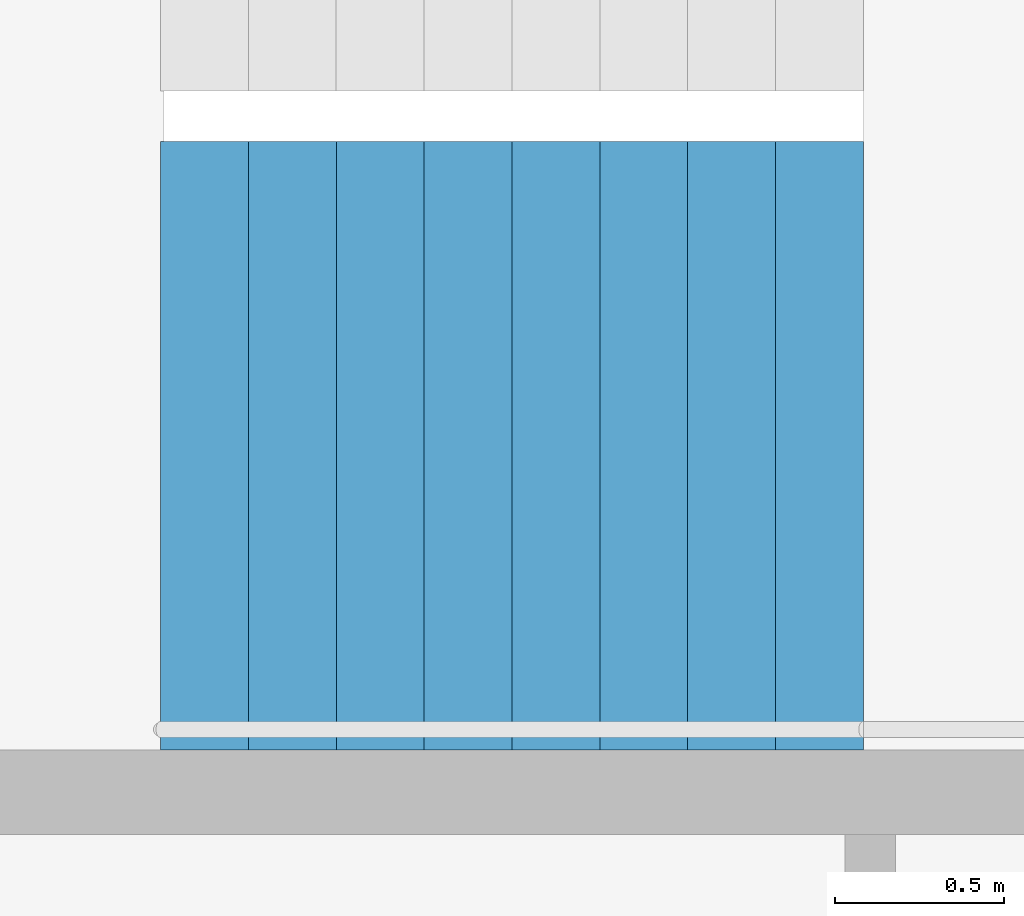
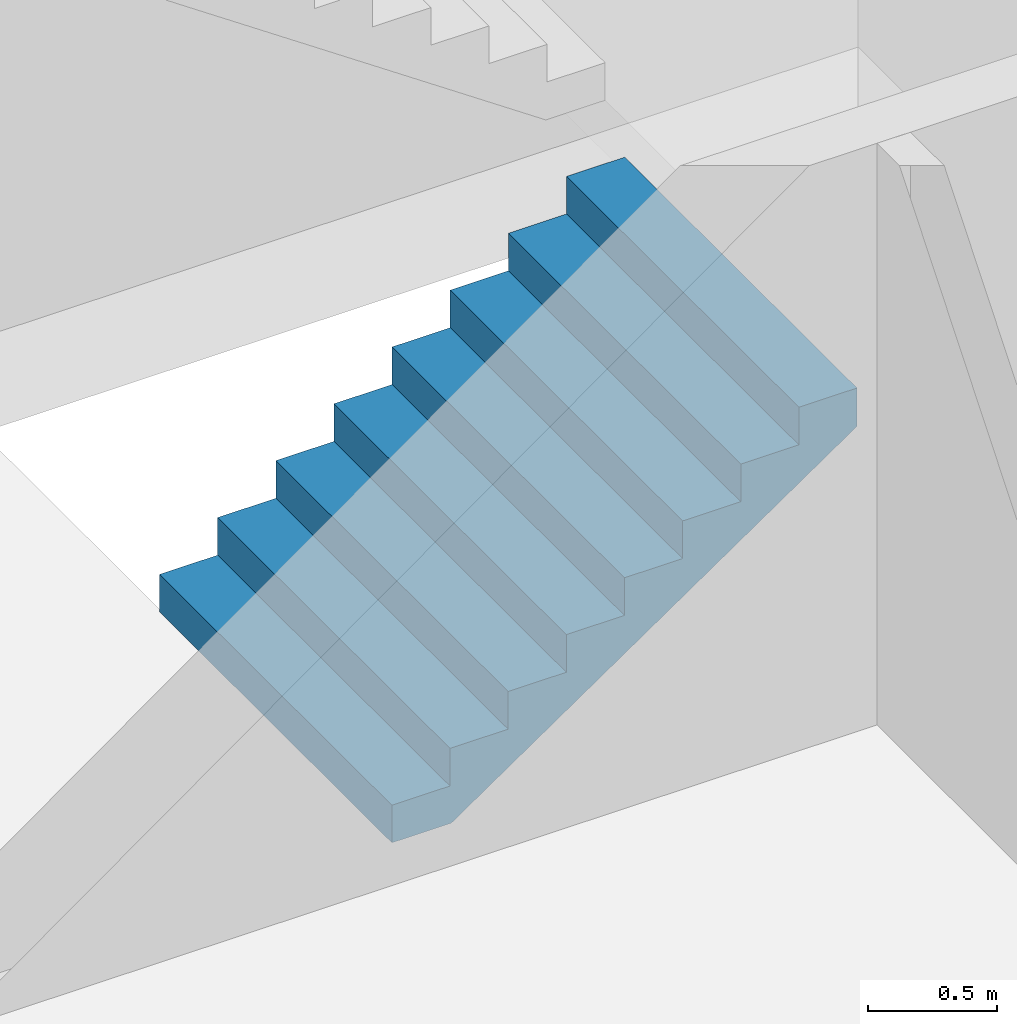
# One storey, part 20 of 26: 1 stair flight, 1 element without a shape of its own.
"""IFC4 building model written with IfcOpenShell, lengths in metres."""

from ifc_helpers import new_model, si_unit, direction, frame, origin, place, context, subcontext, project, spatial, triangles, material, type_object, element, aggregate, save


model = new_model("IFC4")

# Units and contexts
model_context = context("Model", 3, precision=1e-05, world=origin(), true_north=direction((0.0, 1.0)))
body_context = subcontext(model_context, "Body", "Model", "MODEL_VIEW")
ifc_project = project(units=[si_unit("LENGTHUNIT", "METRE"), si_unit("AREAUNIT", "SQUARE_METRE"), si_unit("VOLUMEUNIT", "CUBIC_METRE"), si_unit("PLANEANGLEUNIT", "RADIAN"), si_unit("MASSUNIT", "GRAM", prefix="KILO")], contexts=[model_context])

# Site, building, storey
site_placement = place(None, origin())
site = spatial("IfcSite", under=ifc_project, at=site_placement, CompositionType="ELEMENT")
building_placement = place(site_placement, origin())
building = spatial("IfcBuilding", under=site, at=building_placement, Name="Hakoniwa Tower and Hamabe Station Hall", CompositionType="ELEMENT")
storey_placement = place(building_placement, frame((0.0, 0.0, 221.800048828125)))
storey = spatial("IfcBuildingStorey", under=building, at=storey_placement, Name="L63", CompositionType="ELEMENT", Elevation=221.800048828125)

# Stair, stair flight
ifc_material_1 = material(Name="Concrete C40", Category="concrete")
stair_type = type_object("IfcStairType", Name="ESCAPE STAIR 1800", PredefinedType="HALF_TURN_STAIR", material=ifc_material_1)
stair_placement = place(storey_placement, origin())
stair = element("IfcStair", 1, at=stair_placement, inside=storey, type_object=stair_type, Name="Escape stair ST-1 L63", PredefinedType="HALF_TURN_STAIR")
ifc_material_2 = material(Name="Concrete C40", Category="concrete")
stair_flight_type = type_object("IfcStairFlightType", Name="STAIR FLIGHT 1800", PredefinedType="STRAIGHT", material=ifc_material_2)
stair_flight_placement = place(storey_placement, frame((-24.39990234375, 4.64990234375, 0.0), z_axis=(0.0, 0.0, 1.0), x_axis=(1.0, 0.0, 0.0)))
stair_flight = element("IfcStairFlight", 2, at=stair_flight_placement, type_object=stair_flight_type, Name="ST-1 flight 1", NumberOfRisers=9, NumberOfTreads=8, PredefinedType="STRAIGHT", RiserHeight=0.177777778, TreadLength=0.26, context=body_context, shape_type="Tessellation", body=[
    triangles([(0.0, 0.89990234375, 0.0), (0.260009765625, 0.89990234375, 0.0), (0.265625, 0.89990234375, 0.0), (0.52001953125, 0.89990234375, 0.174072265625), (0.780029296875, 0.89990234375, 0.351806640625), (1.0400390625, 0.89990234375, 0.529541015625), (1.300048828125, 0.89990234375, 0.707275390625), (1.56005859375, 0.89990234375, 0.885009765625), (1.820068359375, 0.89990234375, 1.062744140625), (2.080078125, 0.89990234375, 1.24072265625), (2.080078125, 0.89990234375, 1.422119140625), (1.820068359375, 0.89990234375, 1.422119140625), (1.820068359375, 0.89990234375, 1.244384765625), (1.56005859375, 0.89990234375, 1.244384765625), (1.56005859375, 0.89990234375, 1.066650390625), (1.300048828125, 0.89990234375, 1.066650390625), (1.300048828125, 0.89990234375, 0.888916015625), (1.0400390625, 0.89990234375, 0.888916015625), (1.0400390625, 0.89990234375, 0.711181640625), (0.780029296875, 0.89990234375, 0.711181640625), (0.780029296875, 0.89990234375, 0.533447265625), (0.52001953125, 0.89990234375, 0.533447265625), (0.52001953125, 0.89990234375, 0.35546875), (0.265625, 0.89990234375, 0.35546875), (0.260009765625, 0.89990234375, 0.35546875), (0.260009765625, 0.89990234375, 0.177734375), (0.0, 0.89990234375, 0.177734375), (0.0, 0.06005859375, 0.0), (0.260009765625, 0.06005859375, 0.0), (0.265625, 0.06005859375, 0.0), (0.52001953125, 0.06005859375, 0.174072265625), (0.780029296875, 0.06005859375, 0.351806640625), (1.0400390625, 0.06005859375, 0.529541015625), (1.300048828125, 0.06005859375, 0.707275390625), (1.56005859375, 0.06005859375, 0.885009765625), (1.820068359375, 0.06005859375, 1.062744140625), (2.080078125, 0.06005859375, 1.24072265625), (2.080078125, 0.06005859375, 1.422119140625), (1.820068359375, 0.06005859375, 1.422119140625), (1.820068359375, 0.06005859375, 1.244384765625), (1.56005859375, 0.06005859375, 1.244384765625), (1.56005859375, 0.06005859375, 1.066650390625), (1.300048828125, 0.06005859375, 1.066650390625), (1.300048828125, 0.06005859375, 0.888916015625), (1.0400390625, 0.06005859375, 0.888916015625), (1.0400390625, 0.06005859375, 0.711181640625), (0.780029296875, 0.06005859375, 0.711181640625), (0.780029296875, 0.06005859375, 0.533447265625), (0.52001953125, 0.06005859375, 0.533447265625), (0.52001953125, 0.06005859375, 0.35546875), (0.265625, 0.06005859375, 0.35546875), (0.260009765625, 0.06005859375, 0.35546875), (0.260009765625, 0.06005859375, 0.177734375), (0.0, 0.06005859375, 0.177734375), (0.0, 0.04296875, 0.0), (0.260009765625, 0.04296875, 0.0), (0.265625, 0.04296875, 0.0), (0.52001953125, 0.04296875, 0.174072265625), (0.780029296875, 0.04296875, 0.351806640625), (1.0400390625, 0.04296875, 0.529541015625), (1.300048828125, 0.04296875, 0.707275390625), (1.56005859375, 0.04296875, 0.885009765625), (1.820068359375, 0.04296875, 1.062744140625), (2.080078125, 0.04296875, 1.24072265625), (2.080078125, 0.04296875, 1.422119140625), (1.820068359375, 0.04296875, 1.422119140625), (1.820068359375, 0.04296875, 1.244384765625), (1.56005859375, 0.04296875, 1.244384765625), (1.56005859375, 0.04296875, 1.066650390625), (1.300048828125, 0.04296875, 1.066650390625), (1.300048828125, 0.04296875, 0.888916015625), (1.0400390625, 0.04296875, 0.888916015625), (1.0400390625, 0.04296875, 0.711181640625), (0.780029296875, 0.04296875, 0.711181640625), (0.780029296875, 0.04296875, 0.533447265625), (0.52001953125, 0.04296875, 0.533447265625), (0.52001953125, 0.04296875, 0.35546875), (0.265625, 0.04296875, 0.35546875), (0.260009765625, 0.04296875, 0.35546875), (0.260009765625, 0.04296875, 0.177734375), (0.0, 0.04296875, 0.177734375), (0.0, 0.025634765625, 0.0), (0.260009765625, 0.025634765625, 0.0), (0.265625, 0.025634765625, 0.0), (0.52001953125, 0.025634765625, 0.174072265625), (0.780029296875, 0.025634765625, 0.351806640625), (1.0400390625, 0.025634765625, 0.529541015625), (1.300048828125, 0.025634765625, 0.707275390625), (1.56005859375, 0.025634765625, 0.885009765625), (1.820068359375, 0.025634765625, 1.062744140625), (2.080078125, 0.025634765625, 1.24072265625), (2.080078125, 0.025634765625, 1.422119140625), (1.820068359375, 0.025634765625, 1.422119140625), (1.820068359375, 0.025634765625, 1.244384765625), (1.56005859375, 0.025634765625, 1.244384765625), (1.56005859375, 0.025634765625, 1.066650390625), (1.300048828125, 0.025634765625, 1.066650390625), (1.300048828125, 0.025634765625, 0.888916015625), (1.0400390625, 0.025634765625, 0.888916015625), (1.0400390625, 0.025634765625, 0.711181640625), (0.780029296875, 0.025634765625, 0.711181640625), (0.780029296875, 0.025634765625, 0.533447265625), (0.52001953125, 0.025634765625, 0.533447265625), (0.52001953125, 0.025634765625, 0.35546875), (0.265625, 0.025634765625, 0.35546875), (0.260009765625, 0.025634765625, 0.35546875), (0.260009765625, 0.025634765625, 0.177734375), (0.0, 0.025634765625, 0.177734375), (0.0, 0.008544921875, 0.0), (0.260009765625, 0.008544921875, 0.0), (0.265625, 0.008544921875, 0.0), (0.52001953125, 0.008544921875, 0.174072265625), (0.780029296875, 0.008544921875, 0.351806640625), (1.0400390625, 0.008544921875, 0.529541015625), (1.300048828125, 0.008544921875, 0.707275390625), (1.56005859375, 0.008544921875, 0.885009765625), (1.820068359375, 0.008544921875, 1.062744140625), (2.080078125, 0.008544921875, 1.24072265625), (2.080078125, 0.008544921875, 1.422119140625), (1.820068359375, 0.008544921875, 1.422119140625), (1.820068359375, 0.008544921875, 1.244384765625), (1.56005859375, 0.008544921875, 1.244384765625), (1.56005859375, 0.008544921875, 1.066650390625), (1.300048828125, 0.008544921875, 1.066650390625), (1.300048828125, 0.008544921875, 0.888916015625), (1.0400390625, 0.008544921875, 0.888916015625), (1.0400390625, 0.008544921875, 0.711181640625), (0.780029296875, 0.008544921875, 0.711181640625), (0.780029296875, 0.008544921875, 0.533447265625), (0.52001953125, 0.008544921875, 0.533447265625), (0.52001953125, 0.008544921875, 0.35546875), (0.265625, 0.008544921875, 0.35546875), (0.260009765625, 0.008544921875, 0.35546875), (0.260009765625, 0.008544921875, 0.177734375), (0.0, 0.008544921875, 0.177734375), (0.0, -0.008544921875, 0.0), (0.260009765625, -0.008544921875, 0.0), (0.265625, -0.008544921875, 0.0), (0.52001953125, -0.008544921875, 0.174072265625), (0.780029296875, -0.008544921875, 0.351806640625), (1.0400390625, -0.008544921875, 0.529541015625), (1.300048828125, -0.008544921875, 0.707275390625), (1.56005859375, -0.008544921875, 0.885009765625), (1.820068359375, -0.008544921875, 1.062744140625), (2.080078125, -0.008544921875, 1.24072265625), (2.080078125, -0.008544921875, 1.422119140625), (1.820068359375, -0.008544921875, 1.422119140625), (1.820068359375, -0.008544921875, 1.244384765625), (1.56005859375, -0.008544921875, 1.244384765625), (1.56005859375, -0.008544921875, 1.066650390625), (1.300048828125, -0.008544921875, 1.066650390625), (1.300048828125, -0.008544921875, 0.888916015625), (1.0400390625, -0.008544921875, 0.888916015625), (1.0400390625, -0.008544921875, 0.711181640625), (0.780029296875, -0.008544921875, 0.711181640625), (0.780029296875, -0.008544921875, 0.533447265625), (0.52001953125, -0.008544921875, 0.533447265625), (0.52001953125, -0.008544921875, 0.35546875), (0.265625, -0.008544921875, 0.35546875), (0.260009765625, -0.008544921875, 0.35546875), (0.260009765625, -0.008544921875, 0.177734375), (0.0, -0.008544921875, 0.177734375), (0.0, -0.025634765625, 0.0), (0.260009765625, -0.025634765625, 0.0), (0.265625, -0.025634765625, 0.0), (0.52001953125, -0.025634765625, 0.174072265625), (0.780029296875, -0.025634765625, 0.351806640625), (1.0400390625, -0.025634765625, 0.529541015625), (1.300048828125, -0.025634765625, 0.707275390625), (1.56005859375, -0.025634765625, 0.885009765625), (1.820068359375, -0.025634765625, 1.062744140625), (2.080078125, -0.025634765625, 1.24072265625), (2.080078125, -0.025634765625, 1.422119140625), (1.820068359375, -0.025634765625, 1.422119140625), (1.820068359375, -0.025634765625, 1.244384765625), (1.56005859375, -0.025634765625, 1.244384765625), (1.56005859375, -0.025634765625, 1.066650390625), (1.300048828125, -0.025634765625, 1.066650390625), (1.300048828125, -0.025634765625, 0.888916015625), (1.0400390625, -0.025634765625, 0.888916015625), (1.0400390625, -0.025634765625, 0.711181640625), (0.780029296875, -0.025634765625, 0.711181640625), (0.780029296875, -0.025634765625, 0.533447265625), (0.52001953125, -0.025634765625, 0.533447265625), (0.52001953125, -0.025634765625, 0.35546875), (0.265625, -0.025634765625, 0.35546875), (0.260009765625, -0.025634765625, 0.35546875), (0.260009765625, -0.025634765625, 0.177734375), (0.0, -0.025634765625, 0.177734375), (0.0, -0.04296875, 0.0), (0.260009765625, -0.04296875, 0.0), (0.265625, -0.04296875, 0.0), (0.52001953125, -0.04296875, 0.174072265625), (0.780029296875, -0.04296875, 0.351806640625), (1.0400390625, -0.04296875, 0.529541015625), (1.300048828125, -0.04296875, 0.707275390625), (1.56005859375, -0.04296875, 0.885009765625), (1.820068359375, -0.04296875, 1.062744140625), (2.080078125, -0.04296875, 1.24072265625), (2.080078125, -0.04296875, 1.422119140625), (1.820068359375, -0.04296875, 1.422119140625), (1.820068359375, -0.04296875, 1.244384765625), (1.56005859375, -0.04296875, 1.244384765625), (1.56005859375, -0.04296875, 1.066650390625), (1.300048828125, -0.04296875, 1.066650390625), (1.300048828125, -0.04296875, 0.888916015625), (1.0400390625, -0.04296875, 0.888916015625), (1.0400390625, -0.04296875, 0.711181640625), (0.780029296875, -0.04296875, 0.711181640625), (0.780029296875, -0.04296875, 0.533447265625), (0.52001953125, -0.04296875, 0.533447265625), (0.52001953125, -0.04296875, 0.35546875), (0.265625, -0.04296875, 0.35546875), (0.260009765625, -0.04296875, 0.35546875), (0.260009765625, -0.04296875, 0.177734375), (0.0, -0.04296875, 0.177734375), (0.0, -0.06005859375, 0.0), (0.260009765625, -0.06005859375, 0.0), (0.265625, -0.06005859375, 0.0), (0.52001953125, -0.06005859375, 0.174072265625), (0.780029296875, -0.06005859375, 0.351806640625), (1.0400390625, -0.06005859375, 0.529541015625), (1.300048828125, -0.06005859375, 0.707275390625), (1.56005859375, -0.06005859375, 0.885009765625), (1.820068359375, -0.06005859375, 1.062744140625), (2.080078125, -0.06005859375, 1.24072265625), (2.080078125, -0.06005859375, 1.422119140625), (1.820068359375, -0.06005859375, 1.422119140625), (1.820068359375, -0.06005859375, 1.244384765625), (1.56005859375, -0.06005859375, 1.244384765625), (1.56005859375, -0.06005859375, 1.066650390625), (1.300048828125, -0.06005859375, 1.066650390625), (1.300048828125, -0.06005859375, 0.888916015625), (1.0400390625, -0.06005859375, 0.888916015625), (1.0400390625, -0.06005859375, 0.711181640625), (0.780029296875, -0.06005859375, 0.711181640625), (0.780029296875, -0.06005859375, 0.533447265625), (0.52001953125, -0.06005859375, 0.533447265625), (0.52001953125, -0.06005859375, 0.35546875), (0.265625, -0.06005859375, 0.35546875), (0.260009765625, -0.06005859375, 0.35546875), (0.260009765625, -0.06005859375, 0.177734375), (0.0, -0.06005859375, 0.177734375), (0.0, -0.89990234375, 0.0), (0.260009765625, -0.89990234375, 0.0), (0.265625, -0.89990234375, 0.0), (0.52001953125, -0.89990234375, 0.174072265625), (0.780029296875, -0.89990234375, 0.351806640625), (1.0400390625, -0.89990234375, 0.529541015625), (1.300048828125, -0.89990234375, 0.707275390625), (1.56005859375, -0.89990234375, 0.885009765625), (1.820068359375, -0.89990234375, 1.062744140625), (2.080078125, -0.89990234375, 1.24072265625), (2.080078125, -0.89990234375, 1.422119140625), (1.820068359375, -0.89990234375, 1.422119140625), (1.820068359375, -0.89990234375, 1.244384765625), (1.56005859375, -0.89990234375, 1.244384765625), (1.56005859375, -0.89990234375, 1.066650390625), (1.300048828125, -0.89990234375, 1.066650390625), (1.300048828125, -0.89990234375, 0.888916015625), (1.0400390625, -0.89990234375, 0.888916015625), (1.0400390625, -0.89990234375, 0.711181640625), (0.780029296875, -0.89990234375, 0.711181640625), (0.780029296875, -0.89990234375, 0.533447265625), (0.52001953125, -0.89990234375, 0.533447265625), (0.52001953125, -0.89990234375, 0.35546875), (0.265625, -0.89990234375, 0.35546875), (0.260009765625, -0.89990234375, 0.35546875), (0.260009765625, -0.89990234375, 0.177734375), (0.0, -0.89990234375, 0.177734375)], [[2, 27, 26], [245, 269, 270], [2, 1, 27], [245, 270, 244], [3, 25, 24], [246, 267, 268], [3, 26, 25], [246, 268, 269], [3, 2, 26], [246, 269, 245], [4, 24, 23], [247, 266, 267], [4, 3, 24], [247, 267, 246], [5, 22, 21], [248, 264, 265], [5, 23, 22], [248, 265, 266], [5, 4, 23], [248, 266, 247], [6, 20, 19], [249, 262, 263], [6, 21, 20], [249, 263, 264], [6, 5, 21], [249, 264, 248], [7, 18, 17], [250, 260, 261], [7, 19, 18], [250, 261, 262], [7, 6, 19], [250, 262, 249], [8, 16, 15], [251, 258, 259], [8, 17, 16], [251, 259, 260], [8, 7, 17], [251, 260, 250], [9, 14, 13], [252, 256, 257], [9, 15, 14], [252, 257, 258], [9, 8, 15], [252, 258, 251], [10, 12, 11], [253, 254, 255], [10, 13, 12], [253, 255, 256], [10, 9, 13], [253, 256, 252], [1, 2, 29], [1, 29, 28], [28, 29, 56], [28, 56, 55], [55, 56, 83], [55, 83, 82], [82, 83, 110], [82, 110, 109], [109, 110, 137], [109, 137, 136], [136, 137, 164], [136, 164, 163], [163, 164, 191], [163, 191, 190], [190, 191, 218], [190, 218, 217], [217, 218, 245], [217, 245, 244], [2, 3, 30], [2, 30, 29], [29, 30, 57], [29, 57, 56], [56, 57, 84], [56, 84, 83], [83, 84, 111], [83, 111, 110], [110, 111, 138], [110, 138, 137], [137, 138, 165], [137, 165, 164], [164, 165, 192], [164, 192, 191], [191, 192, 219], [191, 219, 218], [218, 219, 246], [218, 246, 245], [3, 4, 31], [3, 31, 30], [30, 31, 58], [30, 58, 57], [57, 58, 85], [57, 85, 84], [84, 85, 112], [84, 112, 111], [111, 112, 139], [111, 139, 138], [138, 139, 166], [138, 166, 165], [165, 166, 193], [165, 193, 192], [192, 193, 220], [192, 220, 219], [219, 220, 247], [219, 247, 246], [4, 5, 32], [4, 32, 31], [31, 32, 59], [31, 59, 58], [58, 59, 86], [58, 86, 85], [85, 86, 113], [85, 113, 112], [112, 113, 140], [112, 140, 139], [139, 140, 167], [139, 167, 166], [166, 167, 194], [166, 194, 193], [193, 194, 221], [193, 221, 220], [220, 221, 248], [220, 248, 247], [5, 6, 33], [5, 33, 32], [32, 33, 60], [32, 60, 59], [59, 60, 87], [59, 87, 86], [86, 87, 114], [86, 114, 113], [113, 114, 141], [113, 141, 140], [140, 141, 168], [140, 168, 167], [167, 168, 195], [167, 195, 194], [194, 195, 222], [194, 222, 221], [221, 222, 249], [221, 249, 248], [6, 7, 34], [6, 34, 33], [33, 34, 61], [33, 61, 60], [60, 61, 88], [60, 88, 87], [87, 88, 115], [87, 115, 114], [114, 115, 142], [114, 142, 141], [141, 142, 169], [141, 169, 168], [168, 169, 196], [168, 196, 195], [195, 196, 223], [195, 223, 222], [222, 223, 250], [222, 250, 249], [7, 8, 35], [7, 35, 34], [34, 35, 62], [34, 62, 61], [61, 62, 89], [61, 89, 88], [88, 89, 116], [88, 116, 115], [115, 116, 143], [115, 143, 142], [142, 143, 170], [142, 170, 169], [169, 170, 197], [169, 197, 196], [196, 197, 224], [196, 224, 223], [223, 224, 251], [223, 251, 250], [8, 9, 36], [8, 36, 35], [35, 36, 63], [35, 63, 62], [62, 63, 90], [62, 90, 89], [89, 90, 117], [89, 117, 116], [116, 117, 144], [116, 144, 143], [143, 144, 171], [143, 171, 170], [170, 171, 198], [170, 198, 197], [197, 198, 225], [197, 225, 224], [224, 225, 252], [224, 252, 251], [9, 10, 37], [9, 37, 36], [36, 37, 64], [36, 64, 63], [63, 64, 91], [63, 91, 90], [90, 91, 118], [90, 118, 117], [117, 118, 145], [117, 145, 144], [144, 145, 172], [144, 172, 171], [171, 172, 199], [171, 199, 198], [198, 199, 226], [198, 226, 225], [225, 226, 253], [225, 253, 252], [10, 11, 38], [10, 38, 37], [37, 38, 65], [37, 65, 64], [64, 65, 92], [64, 92, 91], [91, 92, 119], [91, 119, 118], [118, 119, 146], [118, 146, 145], [145, 146, 173], [145, 173, 172], [172, 173, 200], [172, 200, 199], [199, 200, 227], [199, 227, 226], [226, 227, 254], [226, 254, 253], [11, 12, 39], [11, 39, 38], [38, 39, 66], [38, 66, 65], [65, 66, 93], [65, 93, 92], [92, 93, 120], [92, 120, 119], [119, 120, 147], [119, 147, 146], [146, 147, 174], [146, 174, 173], [173, 174, 201], [173, 201, 200], [200, 201, 228], [200, 228, 227], [227, 228, 255], [227, 255, 254], [12, 13, 40], [12, 40, 39], [39, 40, 67], [39, 67, 66], [66, 67, 94], [66, 94, 93], [93, 94, 121], [93, 121, 120], [120, 121, 148], [120, 148, 147], [147, 148, 175], [147, 175, 174], [174, 175, 202], [174, 202, 201], [201, 202, 229], [201, 229, 228], [228, 229, 256], [228, 256, 255], [13, 14, 41], [13, 41, 40], [40, 41, 68], [40, 68, 67], [67, 68, 95], [67, 95, 94], [94, 95, 122], [94, 122, 121], [121, 122, 149], [121, 149, 148], [148, 149, 176], [148, 176, 175], [175, 176, 203], [175, 203, 202], [202, 203, 230], [202, 230, 229], [229, 230, 257], [229, 257, 256], [14, 15, 42], [14, 42, 41], [41, 42, 69], [41, 69, 68], [68, 69, 96], [68, 96, 95], [95, 96, 123], [95, 123, 122], [122, 123, 150], [122, 150, 149], [149, 150, 177], [149, 177, 176], [176, 177, 204], [176, 204, 203], [203, 204, 231], [203, 231, 230], [230, 231, 258], [230, 258, 257], [15, 16, 43], [15, 43, 42], [42, 43, 70], [42, 70, 69], [69, 70, 97], [69, 97, 96], [96, 97, 124], [96, 124, 123], [123, 124, 151], [123, 151, 150], [150, 151, 178], [150, 178, 177], [177, 178, 205], [177, 205, 204], [204, 205, 232], [204, 232, 231], [231, 232, 259], [231, 259, 258], [16, 17, 44], [16, 44, 43], [43, 44, 71], [43, 71, 70], [70, 71, 98], [70, 98, 97], [97, 98, 125], [97, 125, 124], [124, 125, 152], [124, 152, 151], [151, 152, 179], [151, 179, 178], [178, 179, 206], [178, 206, 205], [205, 206, 233], [205, 233, 232], [232, 233, 260], [232, 260, 259], [17, 18, 45], [17, 45, 44], [44, 45, 72], [44, 72, 71], [71, 72, 99], [71, 99, 98], [98, 99, 126], [98, 126, 125], [125, 126, 153], [125, 153, 152], [152, 153, 180], [152, 180, 179], [179, 180, 207], [179, 207, 206], [206, 207, 234], [206, 234, 233], [233, 234, 261], [233, 261, 260], [18, 19, 46], [18, 46, 45], [45, 46, 73], [45, 73, 72], [72, 73, 100], [72, 100, 99], [99, 100, 127], [99, 127, 126], [126, 127, 154], [126, 154, 153], [153, 154, 181], [153, 181, 180], [180, 181, 208], [180, 208, 207], [207, 208, 235], [207, 235, 234], [234, 235, 262], [234, 262, 261], [19, 20, 47], [19, 47, 46], [46, 47, 74], [46, 74, 73], [73, 74, 101], [73, 101, 100], [100, 101, 128], [100, 128, 127], [127, 128, 155], [127, 155, 154], [154, 155, 182], [154, 182, 181], [181, 182, 209], [181, 209, 208], [208, 209, 236], [208, 236, 235], [235, 236, 263], [235, 263, 262], [20, 21, 48], [20, 48, 47], [47, 48, 75], [47, 75, 74], [74, 75, 102], [74, 102, 101], [101, 102, 129], [101, 129, 128], [128, 129, 156], [128, 156, 155], [155, 156, 183], [155, 183, 182], [182, 183, 210], [182, 210, 209], [209, 210, 237], [209, 237, 236], [236, 237, 264], [236, 264, 263], [21, 22, 49], [21, 49, 48], [48, 49, 76], [48, 76, 75], [75, 76, 103], [75, 103, 102], [102, 103, 130], [102, 130, 129], [129, 130, 157], [129, 157, 156], [156, 157, 184], [156, 184, 183], [183, 184, 211], [183, 211, 210], [210, 211, 238], [210, 238, 237], [237, 238, 265], [237, 265, 264], [22, 23, 50], [22, 50, 49], [49, 50, 77], [49, 77, 76], [76, 77, 104], [76, 104, 103], [103, 104, 131], [103, 131, 130], [130, 131, 158], [130, 158, 157], [157, 158, 185], [157, 185, 184], [184, 185, 212], [184, 212, 211], [211, 212, 239], [211, 239, 238], [238, 239, 266], [238, 266, 265], [23, 24, 51], [23, 51, 50], [50, 51, 78], [50, 78, 77], [77, 78, 105], [77, 105, 104], [104, 105, 132], [104, 132, 131], [131, 132, 159], [131, 159, 158], [158, 159, 186], [158, 186, 185], [185, 186, 213], [185, 213, 212], [212, 213, 240], [212, 240, 239], [239, 240, 267], [239, 267, 266], [24, 25, 52], [24, 52, 51], [51, 52, 79], [51, 79, 78], [78, 79, 106], [78, 106, 105], [105, 106, 133], [105, 133, 132], [132, 133, 160], [132, 160, 159], [159, 160, 187], [159, 187, 186], [186, 187, 214], [186, 214, 213], [213, 214, 241], [213, 241, 240], [240, 241, 268], [240, 268, 267], [25, 26, 53], [25, 53, 52], [52, 53, 80], [52, 80, 79], [79, 80, 107], [79, 107, 106], [106, 107, 134], [106, 134, 133], [133, 134, 161], [133, 161, 160], [160, 161, 188], [160, 188, 187], [187, 188, 215], [187, 215, 214], [214, 215, 242], [214, 242, 241], [241, 242, 269], [241, 269, 268], [26, 27, 54], [26, 54, 53], [53, 54, 81], [53, 81, 80], [80, 81, 108], [80, 108, 107], [107, 108, 135], [107, 135, 134], [134, 135, 162], [134, 162, 161], [161, 162, 189], [161, 189, 188], [188, 189, 216], [188, 216, 215], [215, 216, 243], [215, 243, 242], [242, 243, 270], [242, 270, 269], [27, 1, 28], [27, 28, 54], [54, 28, 55], [54, 55, 81], [81, 55, 82], [81, 82, 108], [108, 82, 109], [108, 109, 135], [135, 109, 136], [135, 136, 162], [162, 136, 163], [162, 163, 189], [189, 163, 190], [189, 190, 216], [216, 190, 217], [216, 217, 243], [243, 217, 244], [243, 244, 270]], closed=True),
])
aggregate(stair, [stair_flight])

save(model, "model.ifc")
